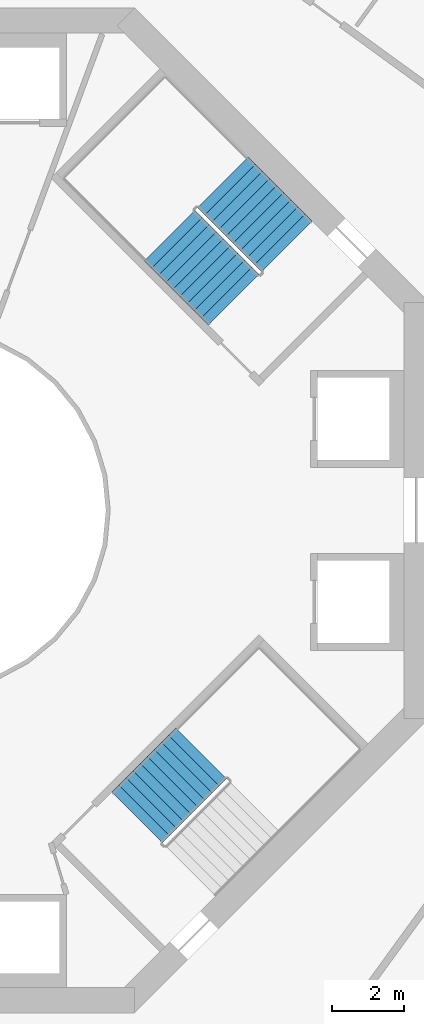
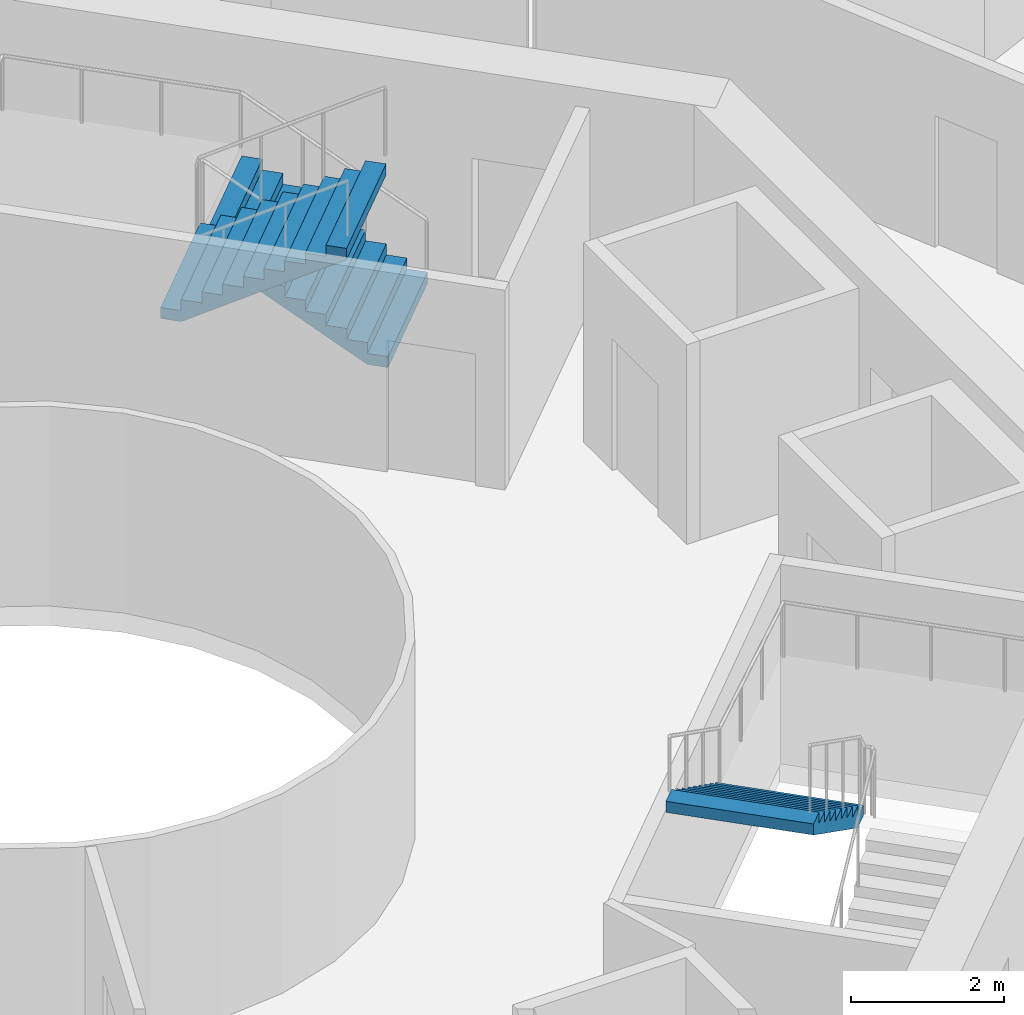
# One storey, part 22 of 23: 3 stair flights, 2 elements without a shape of their own.
"""IFC4 building model written with IfcOpenShell, lengths in metres."""

from ifc_helpers import new_model, si_unit, direction, frame, origin, place, context, subcontext, project, spatial, triangles, material, type_object, element, aggregate, save


model = new_model("IFC4")

# Units and contexts
model_context = context("Model", 3, precision=1e-05, world=origin(), true_north=direction((0.0, 1.0)))
body_context = subcontext(model_context, "Body", "Model", "MODEL_VIEW")
ifc_project = project(units=[si_unit("LENGTHUNIT", "METRE"), si_unit("AREAUNIT", "SQUARE_METRE"), si_unit("VOLUMEUNIT", "CUBIC_METRE"), si_unit("PLANEANGLEUNIT", "RADIAN"), si_unit("MASSUNIT", "GRAM", prefix="KILO")], contexts=[model_context])

# Site, building, storey
site_placement = place(None, origin())
site = spatial("IfcSite", under=ifc_project, at=site_placement, CompositionType="ELEMENT")
building_placement = place(site_placement, origin())
building = spatial("IfcBuilding", under=site, at=building_placement, Name="Verdalira Terraces Hotel", CompositionType="ELEMENT")
storey_placement = place(building_placement, frame((0.0, 0.0, 133.0)))
storey = spatial("IfcBuildingStorey", under=building, at=storey_placement, Name="L31", CompositionType="ELEMENT", Elevation=133.0)

# Stair, stair flights
ifc_material_1 = material(Name="Concrete C40", Category="concrete")
stair_type = type_object("IfcStairType", Name="Core stair 20 risers 2000 mm wide", PredefinedType="HALF_TURN_STAIR", material=ifc_material_1)
stair_1_placement = place(storey_placement, origin())
stair_1 = element("IfcStair", 1, at=stair_1_placement, inside=storey, type_object=stair_type, Name="L31 Exit stair ST1", PredefinedType="HALF_TURN_STAIR")
ifc_material_2 = material(Name="Concrete C40", Category="concrete")
stair_flight_type = type_object("IfcStairFlightType", Name="Core stair flight 20 risers 2000 mm wide", PredefinedType="STRAIGHT", material=ifc_material_2)
stair_flight_1_placement = place(storey_placement, frame((10.041016, 7.354004, 0.0), z_axis=(0.0, 0.0, 1.0), x_axis=(-0.707106781, 0.707106781, 0.0)))
stair_flight_1 = element("IfcStairFlight", 2, at=stair_flight_1_placement, type_object=stair_flight_type, Name="ST1 flight 1", NumberOfRisers=10, NumberOfTreads=9, PredefinedType="STRAIGHT", RiserHeight=0.175, TreadLength=0.28, context=body_context, shape_type="Tessellation", body=[
    triangles([(0.0, 1.0, 0.0), (0.282715, 1.0, 0.0), (2.52002, 1.0, 1.398193), (0.0, -1.0, 0.0), (0.282715, -1.0, 0.0), (2.52002, -1.0, 1.398193), (2.52002, 1.0, 1.574951), (2.23999, 1.0, 1.574951), (2.52002, -1.0, 1.574951), (2.23999, -1.0, 1.574951), (2.23999, 1.0, 1.399902), (2.23999, -1.0, 1.399902), (1.959961, 1.0, 1.399902), (1.959961, -1.0, 1.399902), (1.959961, 1.0, 1.225098), (1.959961, -1.0, 1.225098), (1.679932, 1.0, 1.225098), (1.679932, 1.0, 1.050049), (1.679932, -1.0, 1.225098), (1.679932, -1.0, 1.050049), (1.399902, 1.0, 1.050049), (1.399902, 1.0, 0.875), (1.399902, -1.0, 1.050049), (1.399902, -1.0, 0.875), (1.120117, 1.0, 0.875), (1.120117, 1.0, 0.699951), (1.120117, -1.0, 0.875), (1.120117, -1.0, 0.699951), (0.840088, 1.0, 0.699951), (0.840088, 1.0, 0.524902), (0.840088, -1.0, 0.699951), (0.840088, -1.0, 0.524902), (0.560059, 1.0, 0.524902), (0.560059, 1.0, 0.350098), (0.560059, -1.0, 0.524902), (0.560059, -1.0, 0.350098), (0.280029, 1.0, 0.350098), (0.280029, 1.0, 0.175049), (0.280029, -1.0, 0.350098), (0.280029, -1.0, 0.175049), (0.0, 1.0, 0.175049), (0.0, -1.0, 0.175049), (0.0, -0.9375, 0.0), (0.0, -0.9375, 0.175049), (0.0, -0.875, 0.0), (0.0, -0.875, 0.175049), (0.0, -0.8125, 0.0), (0.0, -0.8125, 0.175049), (0.0, -0.75, 0.0), (0.0, -0.75, 0.175049), (0.0, -0.6875, 0.0), (0.0, -0.6875, 0.175049), (0.0, -0.625, 0.0), (0.0, -0.625, 0.175049), (0.0, -0.5625, 0.0), (0.0, -0.5625, 0.175049), (0.0, -0.5, 0.0), (0.0, -0.5, 0.175049), (0.0, -0.4375, 0.0), (0.0, -0.4375, 0.175049), (0.0, -0.375, 0.0), (0.0, -0.375, 0.175049), (0.0, -0.3125, 0.0), (0.0, -0.3125, 0.175049), (0.0, -0.25, 0.0), (0.0, -0.25, 0.175049), (0.0, -0.1875, 0.0), (0.0, -0.1875, 0.175049), (0.0, -0.125, 0.0), (0.0, -0.125, 0.175049), (0.0, -0.0625, 0.0), (0.0, -0.0625, 0.175049), (0.0, 0.0, 0.0), (0.0, 0.0, 0.175049), (0.0, 0.0625, 0.0), (0.0, 0.0625, 0.175049), (0.0, 0.125, 0.0), (0.0, 0.125, 0.175049), (0.0, 0.1875, 0.0), (0.0, 0.1875, 0.175049), (0.0, 0.25, 0.0), (0.0, 0.25, 0.175049), (0.0, 0.3125, 0.0), (0.0, 0.3125, 0.175049), (0.0, 0.375, 0.0), (0.0, 0.375, 0.175049), (0.0, 0.4375, 0.0), (0.0, 0.4375, 0.175049), (0.0, 0.5, 0.0), (0.0, 0.5, 0.175049), (0.0, 0.5625, 0.0), (0.0, 0.5625, 0.175049), (0.0, 0.625, 0.0), (0.0, 0.625, 0.175049), (0.0, 0.6875, 0.0), (0.0, 0.6875, 0.175049), (0.0, 0.75, 0.0), (0.0, 0.75, 0.175049), (0.0, 0.8125, 0.0), (0.0, 0.8125, 0.175049), (0.0, 0.875, 0.0), (0.0, 0.875, 0.175049), (0.0, 0.9375, 0.0), (0.0, 0.9375, 0.175049), (2.52002, -0.9375, 1.574951), (2.52002, -0.875, 1.574951), (2.52002, -0.8125, 1.574951), (2.52002, -0.75, 1.574951), (2.52002, -0.6875, 1.574951), (2.52002, -0.625, 1.574951), (2.52002, -0.5625, 1.574951), (2.52002, -0.5, 1.574951), (2.52002, -0.4375, 1.574951), (2.52002, -0.375, 1.574951), (2.52002, -0.3125, 1.574951), (2.52002, -0.25, 1.574951), (2.52002, -0.1875, 1.574951), (2.52002, -0.125, 1.574951), (2.52002, -0.0625, 1.574951), (2.52002, 0.0, 1.574951), (2.52002, 0.0625, 1.574951), (2.52002, 0.125, 1.574951), (2.52002, 0.1875, 1.574951), (2.52002, 0.25, 1.574951), (2.52002, 0.3125, 1.574951), (2.52002, 0.375, 1.574951), (2.52002, 0.4375, 1.574951), (2.52002, 0.5, 1.574951), (2.52002, 0.5625, 1.574951), (2.52002, 0.625, 1.574951), (2.52002, 0.6875, 1.574951), (2.52002, 0.75, 1.574951), (2.52002, 0.8125, 1.574951), (2.52002, 0.875, 1.574951), (2.52002, 0.9375, 1.574951), (2.52002, -0.9375, 1.398193), (2.52002, -0.875, 1.398193), (2.52002, -0.8125, 1.398193), (2.52002, -0.75, 1.398193), (2.52002, -0.6875, 1.398193), (2.52002, -0.625, 1.398193), (2.52002, -0.5625, 1.398193), (2.52002, -0.5, 1.398193), (2.52002, -0.4375, 1.398193), (2.52002, -0.375, 1.398193), (2.52002, -0.3125, 1.398193), (2.52002, -0.25, 1.398193), (2.52002, -0.1875, 1.398193), (2.52002, -0.125, 1.398193), (2.52002, -0.0625, 1.398193), (2.52002, 0.0, 1.398193), (2.52002, 0.0625, 1.398193), (2.52002, 0.125, 1.398193), (2.52002, 0.1875, 1.398193), (2.52002, 0.25, 1.398193), (2.52002, 0.3125, 1.398193), (2.52002, 0.375, 1.398193), (2.52002, 0.4375, 1.398193), (2.52002, 0.5, 1.398193), (2.52002, 0.5625, 1.398193), (2.52002, 0.625, 1.398193), (2.52002, 0.6875, 1.398193), (2.52002, 0.75, 1.398193), (2.52002, 0.8125, 1.398193), (2.52002, 0.875, 1.398193), (2.52002, 0.9375, 1.398193)], [[1, 3, 2], [4, 5, 6], [3, 8, 7], [6, 9, 10], [3, 11, 8], [6, 10, 12], [3, 13, 11], [6, 12, 14], [3, 15, 13], [6, 14, 16], [15, 18, 17], [16, 19, 20], [3, 18, 15], [6, 16, 20], [18, 22, 21], [20, 23, 24], [3, 22, 18], [6, 20, 24], [22, 26, 25], [24, 27, 28], [3, 26, 22], [6, 24, 28], [26, 30, 29], [28, 31, 32], [3, 30, 26], [6, 28, 32], [1, 30, 3], [4, 6, 32], [30, 34, 33], [32, 35, 36], [34, 38, 37], [36, 39, 40], [30, 38, 34], [32, 36, 40], [1, 38, 30], [4, 32, 40], [38, 1, 41], [40, 42, 4], [4, 44, 43], [4, 42, 44], [43, 46, 45], [43, 44, 46], [45, 48, 47], [45, 46, 48], [47, 50, 49], [47, 48, 50], [49, 52, 51], [49, 50, 52], [51, 54, 53], [51, 52, 54], [53, 56, 55], [53, 54, 56], [55, 58, 57], [55, 56, 58], [57, 60, 59], [57, 58, 60], [59, 62, 61], [59, 60, 62], [61, 64, 63], [61, 62, 64], [63, 66, 65], [63, 64, 66], [65, 68, 67], [65, 66, 68], [67, 70, 69], [67, 68, 70], [69, 72, 71], [69, 70, 72], [71, 74, 73], [71, 72, 74], [73, 76, 75], [73, 74, 76], [75, 78, 77], [75, 76, 78], [77, 80, 79], [77, 78, 80], [79, 82, 81], [79, 80, 82], [81, 84, 83], [81, 82, 84], [83, 86, 85], [83, 84, 86], [85, 88, 87], [85, 86, 88], [87, 90, 89], [87, 88, 90], [89, 92, 91], [89, 90, 92], [91, 94, 93], [91, 92, 94], [93, 96, 95], [93, 94, 96], [95, 98, 97], [95, 96, 98], [97, 100, 99], [97, 98, 100], [99, 102, 101], [99, 100, 102], [101, 104, 103], [101, 102, 104], [103, 41, 1], [103, 104, 41], [42, 40, 44], [44, 40, 46], [46, 40, 48], [48, 40, 50], [50, 40, 52], [52, 40, 54], [54, 40, 56], [56, 40, 58], [58, 40, 60], [60, 40, 62], [62, 40, 64], [64, 40, 66], [66, 40, 68], [68, 40, 70], [70, 40, 72], [72, 40, 74], [74, 40, 76], [76, 40, 78], [78, 40, 80], [80, 40, 82], [82, 40, 84], [84, 40, 86], [86, 40, 88], [88, 40, 90], [90, 40, 92], [92, 40, 94], [94, 40, 96], [96, 40, 98], [98, 40, 100], [100, 40, 102], [102, 40, 104], [104, 40, 41], [41, 40, 38], [40, 37, 38], [40, 39, 37], [39, 34, 37], [39, 36, 34], [36, 33, 34], [36, 35, 33], [35, 30, 33], [35, 32, 30], [32, 29, 30], [32, 31, 29], [31, 26, 29], [31, 28, 26], [28, 25, 26], [28, 27, 25], [27, 22, 25], [27, 24, 22], [24, 21, 22], [24, 23, 21], [23, 18, 21], [23, 20, 18], [20, 17, 18], [20, 19, 17], [19, 15, 17], [19, 16, 15], [16, 13, 15], [16, 14, 13], [14, 11, 13], [14, 12, 11], [12, 8, 11], [12, 10, 8], [9, 105, 10], [105, 106, 10], [106, 107, 10], [107, 108, 10], [108, 109, 10], [109, 110, 10], [110, 111, 10], [111, 112, 10], [112, 113, 10], [113, 114, 10], [114, 115, 10], [115, 116, 10], [116, 117, 10], [117, 118, 10], [118, 119, 10], [119, 120, 10], [120, 121, 10], [121, 122, 10], [122, 123, 10], [123, 124, 10], [124, 125, 10], [125, 126, 10], [126, 127, 10], [127, 128, 10], [128, 129, 10], [129, 130, 10], [130, 131, 10], [131, 132, 10], [132, 133, 10], [133, 134, 10], [134, 135, 10], [135, 7, 10], [7, 8, 10], [9, 136, 105], [9, 6, 136], [105, 137, 106], [105, 136, 137], [106, 138, 107], [106, 137, 138], [107, 139, 108], [107, 138, 139], [108, 140, 109], [108, 139, 140], [109, 141, 110], [109, 140, 141], [110, 142, 111], [110, 141, 142], [111, 143, 112], [111, 142, 143], [112, 144, 113], [112, 143, 144], [113, 145, 114], [113, 144, 145], [114, 146, 115], [114, 145, 146], [115, 147, 116], [115, 146, 147], [116, 148, 117], [116, 147, 148], [117, 149, 118], [117, 148, 149], [118, 150, 119], [118, 149, 150], [119, 151, 120], [119, 150, 151], [120, 152, 121], [120, 151, 152], [121, 153, 122], [121, 152, 153], [122, 154, 123], [122, 153, 154], [123, 155, 124], [123, 154, 155], [124, 156, 125], [124, 155, 156], [125, 157, 126], [125, 156, 157], [126, 158, 127], [126, 157, 158], [127, 159, 128], [127, 158, 159], [128, 160, 129], [128, 159, 160], [129, 161, 130], [129, 160, 161], [130, 162, 131], [130, 161, 162], [131, 163, 132], [131, 162, 163], [132, 164, 133], [132, 163, 164], [133, 165, 134], [133, 164, 165], [134, 166, 135], [134, 165, 166], [135, 3, 7], [135, 166, 3], [6, 5, 136], [136, 5, 137], [137, 5, 138], [138, 5, 139], [139, 5, 140], [140, 5, 141], [141, 5, 142], [142, 5, 143], [143, 5, 144], [144, 5, 145], [145, 5, 146], [146, 5, 147], [147, 5, 148], [148, 5, 149], [149, 5, 150], [150, 5, 151], [151, 5, 152], [152, 5, 153], [153, 5, 154], [154, 5, 155], [155, 5, 156], [156, 5, 157], [157, 5, 158], [158, 5, 159], [159, 5, 160], [160, 5, 161], [161, 5, 162], [162, 5, 163], [163, 5, 164], [164, 5, 165], [165, 5, 166], [166, 5, 3], [3, 5, 2], [4, 43, 5], [43, 45, 5], [45, 47, 5], [47, 49, 5], [49, 51, 5], [51, 53, 5], [53, 55, 5], [55, 57, 5], [57, 59, 5], [59, 61, 5], [61, 63, 5], [63, 65, 5], [65, 67, 5], [67, 69, 5], [69, 71, 5], [71, 73, 5], [73, 75, 5], [75, 77, 5], [77, 79, 5], [79, 81, 5], [81, 83, 5], [83, 85, 5], [85, 87, 5], [87, 89, 5], [89, 91, 5], [91, 93, 5], [93, 95, 5], [95, 97, 5], [97, 99, 5], [99, 101, 5], [101, 103, 5], [103, 1, 5], [1, 2, 5]], closed=True),
])
stair_flight_2_placement = place(storey_placement, frame((6.77417, 7.650879, 1.75), z_axis=(0.0, 0.0, 1.0), x_axis=(0.707106781, -0.707106781, 0.0)))
stair_flight_2 = element("IfcStairFlight", 3, at=stair_flight_2_placement, type_object=stair_flight_type, Name="ST1 flight 2", NumberOfRisers=10, NumberOfTreads=9, PredefinedType="STRAIGHT", RiserHeight=0.175, TreadLength=0.28, context=body_context, shape_type="Tessellation", body=[
    triangles([(0.0, 1.0, 0.0), (0.282715, 1.0, 0.0), (2.52002, 1.0, 1.398193), (0.0, -1.0, 0.0), (0.282715, -1.0, 0.0), (2.52002, -1.0, 1.398193), (2.52002, 1.0, 1.574951), (2.23999, 1.0, 1.574951), (2.52002, -1.0, 1.574951), (2.23999, -1.0, 1.574951), (2.23999, 1.0, 1.399902), (2.23999, -1.0, 1.399902), (1.959961, 1.0, 1.399902), (1.959961, -1.0, 1.399902), (1.959961, 1.0, 1.225098), (1.959961, -1.0, 1.225098), (1.679932, 1.0, 1.225098), (1.679932, 1.0, 1.050049), (1.679932, -1.0, 1.225098), (1.679932, -1.0, 1.050049), (1.399902, 1.0, 1.050049), (1.399902, 1.0, 0.875), (1.399902, -1.0, 1.050049), (1.399902, -1.0, 0.875), (1.120117, 1.0, 0.875), (1.120117, 1.0, 0.699951), (1.120117, -1.0, 0.875), (1.120117, -1.0, 0.699951), (0.840088, 1.0, 0.699951), (0.840088, 1.0, 0.524902), (0.840088, -1.0, 0.699951), (0.840088, -1.0, 0.524902), (0.560059, 1.0, 0.524902), (0.560059, 1.0, 0.350098), (0.560059, -1.0, 0.524902), (0.560059, -1.0, 0.350098), (0.280029, 1.0, 0.350098), (0.280029, 1.0, 0.175049), (0.280029, -1.0, 0.350098), (0.280029, -1.0, 0.175049), (0.0, 1.0, 0.175049), (0.0, -1.0, 0.175049), (0.0, -0.9375, 0.0), (0.0, -0.9375, 0.175049), (0.0, -0.875, 0.0), (0.0, -0.875, 0.175049), (0.0, -0.8125, 0.0), (0.0, -0.8125, 0.175049), (0.0, -0.75, 0.0), (0.0, -0.75, 0.175049), (0.0, -0.6875, 0.0), (0.0, -0.6875, 0.175049), (0.0, -0.625, 0.0), (0.0, -0.625, 0.175049), (0.0, -0.5625, 0.0), (0.0, -0.5625, 0.175049), (0.0, -0.5, 0.0), (0.0, -0.5, 0.175049), (0.0, -0.4375, 0.0), (0.0, -0.4375, 0.175049), (0.0, -0.375, 0.0), (0.0, -0.375, 0.175049), (0.0, -0.3125, 0.0), (0.0, -0.3125, 0.175049), (0.0, -0.25, 0.0), (0.0, -0.25, 0.175049), (0.0, -0.1875, 0.0), (0.0, -0.1875, 0.175049), (0.0, -0.125, 0.0), (0.0, -0.125, 0.175049), (0.0, -0.0625, 0.0), (0.0, -0.0625, 0.175049), (0.0, 0.0, 0.0), (0.0, 0.0, 0.175049), (0.0, 0.0625, 0.0), (0.0, 0.0625, 0.175049), (0.0, 0.125, 0.0), (0.0, 0.125, 0.175049), (0.0, 0.1875, 0.0), (0.0, 0.1875, 0.175049), (0.0, 0.25, 0.0), (0.0, 0.25, 0.175049), (0.0, 0.3125, 0.0), (0.0, 0.3125, 0.175049), (0.0, 0.375, 0.0), (0.0, 0.375, 0.175049), (0.0, 0.4375, 0.0), (0.0, 0.4375, 0.175049), (0.0, 0.5, 0.0), (0.0, 0.5, 0.175049), (0.0, 0.5625, 0.0), (0.0, 0.5625, 0.175049), (0.0, 0.625, 0.0), (0.0, 0.625, 0.175049), (0.0, 0.6875, 0.0), (0.0, 0.6875, 0.175049), (0.0, 0.75, 0.0), (0.0, 0.75, 0.175049), (0.0, 0.8125, 0.0), (0.0, 0.8125, 0.175049), (0.0, 0.875, 0.0), (0.0, 0.875, 0.175049), (0.0, 0.9375, 0.0), (0.0, 0.9375, 0.175049), (2.52002, -0.9375, 1.574951), (2.52002, -0.875, 1.574951), (2.52002, -0.8125, 1.574951), (2.52002, -0.75, 1.574951), (2.52002, -0.6875, 1.574951), (2.52002, -0.625, 1.574951), (2.52002, -0.5625, 1.574951), (2.52002, -0.5, 1.574951), (2.52002, -0.4375, 1.574951), (2.52002, -0.375, 1.574951), (2.52002, -0.3125, 1.574951), (2.52002, -0.25, 1.574951), (2.52002, -0.1875, 1.574951), (2.52002, -0.125, 1.574951), (2.52002, -0.0625, 1.574951), (2.52002, 0.0, 1.574951), (2.52002, 0.0625, 1.574951), (2.52002, 0.125, 1.574951), (2.52002, 0.1875, 1.574951), (2.52002, 0.25, 1.574951), (2.52002, 0.3125, 1.574951), (2.52002, 0.375, 1.574951), (2.52002, 0.4375, 1.574951), (2.52002, 0.5, 1.574951), (2.52002, 0.5625, 1.574951), (2.52002, 0.625, 1.574951), (2.52002, 0.6875, 1.574951), (2.52002, 0.75, 1.574951), (2.52002, 0.8125, 1.574951), (2.52002, 0.875, 1.574951), (2.52002, 0.9375, 1.574951), (2.52002, -0.9375, 1.398193), (2.52002, -0.875, 1.398193), (2.52002, -0.8125, 1.398193), (2.52002, -0.75, 1.398193), (2.52002, -0.6875, 1.398193), (2.52002, -0.625, 1.398193), (2.52002, -0.5625, 1.398193), (2.52002, -0.5, 1.398193), (2.52002, -0.4375, 1.398193), (2.52002, -0.375, 1.398193), (2.52002, -0.3125, 1.398193), (2.52002, -0.25, 1.398193), (2.52002, -0.1875, 1.398193), (2.52002, -0.125, 1.398193), (2.52002, -0.0625, 1.398193), (2.52002, 0.0, 1.398193), (2.52002, 0.0625, 1.398193), (2.52002, 0.125, 1.398193), (2.52002, 0.1875, 1.398193), (2.52002, 0.25, 1.398193), (2.52002, 0.3125, 1.398193), (2.52002, 0.375, 1.398193), (2.52002, 0.4375, 1.398193), (2.52002, 0.5, 1.398193), (2.52002, 0.5625, 1.398193), (2.52002, 0.625, 1.398193), (2.52002, 0.6875, 1.398193), (2.52002, 0.75, 1.398193), (2.52002, 0.8125, 1.398193), (2.52002, 0.875, 1.398193), (2.52002, 0.9375, 1.398193)], [[1, 3, 2], [4, 5, 6], [3, 8, 7], [6, 9, 10], [3, 11, 8], [6, 10, 12], [3, 13, 11], [6, 12, 14], [3, 15, 13], [6, 14, 16], [15, 18, 17], [16, 19, 20], [3, 18, 15], [6, 16, 20], [18, 22, 21], [20, 23, 24], [3, 22, 18], [6, 20, 24], [22, 26, 25], [24, 27, 28], [3, 26, 22], [6, 24, 28], [26, 30, 29], [28, 31, 32], [3, 30, 26], [6, 28, 32], [1, 30, 3], [4, 6, 32], [30, 34, 33], [32, 35, 36], [34, 38, 37], [36, 39, 40], [30, 38, 34], [32, 36, 40], [1, 38, 30], [4, 32, 40], [38, 1, 41], [40, 42, 4], [4, 44, 43], [4, 42, 44], [43, 46, 45], [43, 44, 46], [45, 48, 47], [45, 46, 48], [47, 50, 49], [47, 48, 50], [49, 52, 51], [49, 50, 52], [51, 54, 53], [51, 52, 54], [53, 56, 55], [53, 54, 56], [55, 58, 57], [55, 56, 58], [57, 60, 59], [57, 58, 60], [59, 62, 61], [59, 60, 62], [61, 64, 63], [61, 62, 64], [63, 66, 65], [63, 64, 66], [65, 68, 67], [65, 66, 68], [67, 70, 69], [67, 68, 70], [69, 72, 71], [69, 70, 72], [71, 74, 73], [71, 72, 74], [73, 76, 75], [73, 74, 76], [75, 78, 77], [75, 76, 78], [77, 80, 79], [77, 78, 80], [79, 82, 81], [79, 80, 82], [81, 84, 83], [81, 82, 84], [83, 86, 85], [83, 84, 86], [85, 88, 87], [85, 86, 88], [87, 90, 89], [87, 88, 90], [89, 92, 91], [89, 90, 92], [91, 94, 93], [91, 92, 94], [93, 96, 95], [93, 94, 96], [95, 98, 97], [95, 96, 98], [97, 100, 99], [97, 98, 100], [99, 102, 101], [99, 100, 102], [101, 104, 103], [101, 102, 104], [103, 41, 1], [103, 104, 41], [42, 40, 44], [44, 40, 46], [46, 40, 48], [48, 40, 50], [50, 40, 52], [52, 40, 54], [54, 40, 56], [56, 40, 58], [58, 40, 60], [60, 40, 62], [62, 40, 64], [64, 40, 66], [66, 40, 68], [68, 40, 70], [70, 40, 72], [72, 40, 74], [74, 40, 76], [76, 40, 78], [78, 40, 80], [80, 40, 82], [82, 40, 84], [84, 40, 86], [86, 40, 88], [88, 40, 90], [90, 40, 92], [92, 40, 94], [94, 40, 96], [96, 40, 98], [98, 40, 100], [100, 40, 102], [102, 40, 104], [104, 40, 41], [41, 40, 38], [40, 37, 38], [40, 39, 37], [39, 34, 37], [39, 36, 34], [36, 33, 34], [36, 35, 33], [35, 30, 33], [35, 32, 30], [32, 29, 30], [32, 31, 29], [31, 26, 29], [31, 28, 26], [28, 25, 26], [28, 27, 25], [27, 22, 25], [27, 24, 22], [24, 21, 22], [24, 23, 21], [23, 18, 21], [23, 20, 18], [20, 17, 18], [20, 19, 17], [19, 15, 17], [19, 16, 15], [16, 13, 15], [16, 14, 13], [14, 11, 13], [14, 12, 11], [12, 8, 11], [12, 10, 8], [9, 105, 10], [105, 106, 10], [106, 107, 10], [107, 108, 10], [108, 109, 10], [109, 110, 10], [110, 111, 10], [111, 112, 10], [112, 113, 10], [113, 114, 10], [114, 115, 10], [115, 116, 10], [116, 117, 10], [117, 118, 10], [118, 119, 10], [119, 120, 10], [120, 121, 10], [121, 122, 10], [122, 123, 10], [123, 124, 10], [124, 125, 10], [125, 126, 10], [126, 127, 10], [127, 128, 10], [128, 129, 10], [129, 130, 10], [130, 131, 10], [131, 132, 10], [132, 133, 10], [133, 134, 10], [134, 135, 10], [135, 7, 10], [7, 8, 10], [9, 136, 105], [9, 6, 136], [105, 137, 106], [105, 136, 137], [106, 138, 107], [106, 137, 138], [107, 139, 108], [107, 138, 139], [108, 140, 109], [108, 139, 140], [109, 141, 110], [109, 140, 141], [110, 142, 111], [110, 141, 142], [111, 143, 112], [111, 142, 143], [112, 144, 113], [112, 143, 144], [113, 145, 114], [113, 144, 145], [114, 146, 115], [114, 145, 146], [115, 147, 116], [115, 146, 147], [116, 148, 117], [116, 147, 148], [117, 149, 118], [117, 148, 149], [118, 150, 119], [118, 149, 150], [119, 151, 120], [119, 150, 151], [120, 152, 121], [120, 151, 152], [121, 153, 122], [121, 152, 153], [122, 154, 123], [122, 153, 154], [123, 155, 124], [123, 154, 155], [124, 156, 125], [124, 155, 156], [125, 157, 126], [125, 156, 157], [126, 158, 127], [126, 157, 158], [127, 159, 128], [127, 158, 159], [128, 160, 129], [128, 159, 160], [129, 161, 130], [129, 160, 161], [130, 162, 131], [130, 161, 162], [131, 163, 132], [131, 162, 163], [132, 164, 133], [132, 163, 164], [133, 165, 134], [133, 164, 165], [134, 166, 135], [134, 165, 166], [135, 3, 7], [135, 166, 3], [6, 5, 136], [136, 5, 137], [137, 5, 138], [138, 5, 139], [139, 5, 140], [140, 5, 141], [141, 5, 142], [142, 5, 143], [143, 5, 144], [144, 5, 145], [145, 5, 146], [146, 5, 147], [147, 5, 148], [148, 5, 149], [149, 5, 150], [150, 5, 151], [151, 5, 152], [152, 5, 153], [153, 5, 154], [154, 5, 155], [155, 5, 156], [156, 5, 157], [157, 5, 158], [158, 5, 159], [159, 5, 160], [160, 5, 161], [161, 5, 162], [162, 5, 163], [163, 5, 164], [164, 5, 165], [165, 5, 166], [166, 5, 3], [3, 5, 2], [4, 43, 5], [43, 45, 5], [45, 47, 5], [47, 49, 5], [49, 51, 5], [51, 53, 5], [53, 55, 5], [55, 57, 5], [57, 59, 5], [59, 61, 5], [61, 63, 5], [63, 65, 5], [65, 67, 5], [67, 69, 5], [69, 71, 5], [71, 73, 5], [73, 75, 5], [75, 77, 5], [77, 79, 5], [79, 81, 5], [81, 83, 5], [83, 85, 5], [85, 87, 5], [87, 89, 5], [89, 91, 5], [91, 93, 5], [93, 95, 5], [95, 97, 5], [97, 99, 5], [99, 101, 5], [101, 103, 5], [103, 1, 5], [1, 2, 5]], closed=True),
])
aggregate(stair_1, [stair_flight_1, stair_flight_2])

# Stair, stair flight
stair_2_placement = place(storey_placement, origin())
stair_2 = element("IfcStair", 4, at=stair_2_placement, inside=storey, type_object=stair_type, Name="L31 Exit stair ST3", PredefinedType="HALF_TURN_STAIR")
stair_flight_3_placement = place(storey_placement, frame((7.650879, -6.77417, 1.75), z_axis=(0.0, 0.0, 1.0), x_axis=(-0.707106781, -0.707106781, 0.0)))
stair_flight_3 = element("IfcStairFlight", 5, at=stair_flight_3_placement, type_object=stair_flight_type, Name="ST3 flight 2", NumberOfRisers=10, NumberOfTreads=9, PredefinedType="STRAIGHT", RiserHeight=0.175, TreadLength=0.28, context=body_context, shape_type="Tessellation", body=[
    triangles([(0.0, 1.0, 0.0), (0.282715, 1.0, 0.0), (2.52002, 1.0, 1.398193), (0.0, -1.0, 0.0), (0.282715, -1.0, 0.0), (2.52002, -1.0, 1.398193), (2.52002, 1.0, 1.574951), (2.23999, 1.0, 1.574951), (2.52002, -1.0, 1.574951), (2.23999, -1.0, 1.574951), (2.23999, 1.0, 1.399902), (2.23999, -1.0, 1.399902), (1.959961, 1.0, 1.399902), (1.959961, -1.0, 1.399902), (1.959961, 1.0, 1.225098), (1.959961, -1.0, 1.225098), (1.679932, 1.0, 1.225098), (1.679932, 1.0, 1.050049), (1.679932, -1.0, 1.225098), (1.679932, -1.0, 1.050049), (1.399902, 1.0, 1.050049), (1.399902, 1.0, 0.875), (1.399902, -1.0, 1.050049), (1.399902, -1.0, 0.875), (1.120117, 1.0, 0.875), (1.120117, 1.0, 0.699951), (1.120117, -1.0, 0.875), (1.120117, -1.0, 0.699951), (0.840088, 1.0, 0.699951), (0.840088, 1.0, 0.524902), (0.840088, -1.0, 0.699951), (0.840088, -1.0, 0.524902), (0.560059, 1.0, 0.524902), (0.560059, 1.0, 0.350098), (0.560059, -1.0, 0.524902), (0.560059, -1.0, 0.350098), (0.280029, 1.0, 0.350098), (0.280029, 1.0, 0.175049), (0.280029, -1.0, 0.350098), (0.280029, -1.0, 0.175049), (0.0, 1.0, 0.175049), (0.0, -1.0, 0.175049), (0.0, -0.9375, 0.0), (0.0, -0.9375, 0.175049), (0.0, -0.875, 0.0), (0.0, -0.875, 0.175049), (0.0, -0.8125, 0.0), (0.0, -0.8125, 0.175049), (0.0, -0.75, 0.0), (0.0, -0.75, 0.175049), (0.0, -0.6875, 0.0), (0.0, -0.6875, 0.175049), (0.0, -0.625, 0.0), (0.0, -0.625, 0.175049), (0.0, -0.5625, 0.0), (0.0, -0.5625, 0.175049), (0.0, -0.5, 0.0), (0.0, -0.5, 0.175049), (0.0, -0.4375, 0.0), (0.0, -0.4375, 0.175049), (0.0, -0.375, 0.0), (0.0, -0.375, 0.175049), (0.0, -0.3125, 0.0), (0.0, -0.3125, 0.175049), (0.0, -0.25, 0.0), (0.0, -0.25, 0.175049), (0.0, -0.1875, 0.0), (0.0, -0.1875, 0.175049), (0.0, -0.125, 0.0), (0.0, -0.125, 0.175049), (0.0, -0.0625, 0.0), (0.0, -0.0625, 0.175049), (0.0, 0.0, 0.0), (0.0, 0.0, 0.175049), (0.0, 0.0625, 0.0), (0.0, 0.0625, 0.175049), (0.0, 0.125, 0.0), (0.0, 0.125, 0.175049), (0.0, 0.1875, 0.0), (0.0, 0.1875, 0.175049), (0.0, 0.25, 0.0), (0.0, 0.25, 0.175049), (0.0, 0.3125, 0.0), (0.0, 0.3125, 0.175049), (0.0, 0.375, 0.0), (0.0, 0.375, 0.175049), (0.0, 0.4375, 0.0), (0.0, 0.4375, 0.175049), (0.0, 0.5, 0.0), (0.0, 0.5, 0.175049), (0.0, 0.5625, 0.0), (0.0, 0.5625, 0.175049), (0.0, 0.625, 0.0), (0.0, 0.625, 0.175049), (0.0, 0.6875, 0.0), (0.0, 0.6875, 0.175049), (0.0, 0.75, 0.0), (0.0, 0.75, 0.175049), (0.0, 0.8125, 0.0), (0.0, 0.8125, 0.175049), (0.0, 0.875, 0.0), (0.0, 0.875, 0.175049), (0.0, 0.9375, 0.0), (0.0, 0.9375, 0.175049), (2.52002, -0.9375, 1.574951), (2.52002, -0.875, 1.574951), (2.52002, -0.8125, 1.574951), (2.52002, -0.75, 1.574951), (2.52002, -0.6875, 1.574951), (2.52002, -0.625, 1.574951), (2.52002, -0.5625, 1.574951), (2.52002, -0.5, 1.574951), (2.52002, -0.4375, 1.574951), (2.52002, -0.375, 1.574951), (2.52002, -0.3125, 1.574951), (2.52002, -0.25, 1.574951), (2.52002, -0.1875, 1.574951), (2.52002, -0.125, 1.574951), (2.52002, -0.0625, 1.574951), (2.52002, 0.0, 1.574951), (2.52002, 0.0625, 1.574951), (2.52002, 0.125, 1.574951), (2.52002, 0.1875, 1.574951), (2.52002, 0.25, 1.574951), (2.52002, 0.3125, 1.574951), (2.52002, 0.375, 1.574951), (2.52002, 0.4375, 1.574951), (2.52002, 0.5, 1.574951), (2.52002, 0.5625, 1.574951), (2.52002, 0.625, 1.574951), (2.52002, 0.6875, 1.574951), (2.52002, 0.75, 1.574951), (2.52002, 0.8125, 1.574951), (2.52002, 0.875, 1.574951), (2.52002, 0.9375, 1.574951), (2.52002, -0.9375, 1.398193), (2.52002, -0.875, 1.398193), (2.52002, -0.8125, 1.398193), (2.52002, -0.75, 1.398193), (2.52002, -0.6875, 1.398193), (2.52002, -0.625, 1.398193), (2.52002, -0.5625, 1.398193), (2.52002, -0.5, 1.398193), (2.52002, -0.4375, 1.398193), (2.52002, -0.375, 1.398193), (2.52002, -0.3125, 1.398193), (2.52002, -0.25, 1.398193), (2.52002, -0.1875, 1.398193), (2.52002, -0.125, 1.398193), (2.52002, -0.0625, 1.398193), (2.52002, 0.0, 1.398193), (2.52002, 0.0625, 1.398193), (2.52002, 0.125, 1.398193), (2.52002, 0.1875, 1.398193), (2.52002, 0.25, 1.398193), (2.52002, 0.3125, 1.398193), (2.52002, 0.375, 1.398193), (2.52002, 0.4375, 1.398193), (2.52002, 0.5, 1.398193), (2.52002, 0.5625, 1.398193), (2.52002, 0.625, 1.398193), (2.52002, 0.6875, 1.398193), (2.52002, 0.75, 1.398193), (2.52002, 0.8125, 1.398193), (2.52002, 0.875, 1.398193), (2.52002, 0.9375, 1.398193)], [[1, 3, 2], [4, 5, 6], [3, 8, 7], [6, 9, 10], [3, 11, 8], [6, 10, 12], [3, 13, 11], [6, 12, 14], [3, 15, 13], [6, 14, 16], [15, 18, 17], [16, 19, 20], [3, 18, 15], [6, 16, 20], [18, 22, 21], [20, 23, 24], [3, 22, 18], [6, 20, 24], [22, 26, 25], [24, 27, 28], [3, 26, 22], [6, 24, 28], [26, 30, 29], [28, 31, 32], [3, 30, 26], [6, 28, 32], [1, 30, 3], [4, 6, 32], [30, 34, 33], [32, 35, 36], [34, 38, 37], [36, 39, 40], [30, 38, 34], [32, 36, 40], [1, 38, 30], [4, 32, 40], [38, 1, 41], [40, 42, 4], [4, 44, 43], [4, 42, 44], [43, 46, 45], [43, 44, 46], [45, 48, 47], [45, 46, 48], [47, 50, 49], [47, 48, 50], [49, 52, 51], [49, 50, 52], [51, 54, 53], [51, 52, 54], [53, 56, 55], [53, 54, 56], [55, 58, 57], [55, 56, 58], [57, 60, 59], [57, 58, 60], [59, 62, 61], [59, 60, 62], [61, 64, 63], [61, 62, 64], [63, 66, 65], [63, 64, 66], [65, 68, 67], [65, 66, 68], [67, 70, 69], [67, 68, 70], [69, 72, 71], [69, 70, 72], [71, 74, 73], [71, 72, 74], [73, 76, 75], [73, 74, 76], [75, 78, 77], [75, 76, 78], [77, 80, 79], [77, 78, 80], [79, 82, 81], [79, 80, 82], [81, 84, 83], [81, 82, 84], [83, 86, 85], [83, 84, 86], [85, 88, 87], [85, 86, 88], [87, 90, 89], [87, 88, 90], [89, 92, 91], [89, 90, 92], [91, 94, 93], [91, 92, 94], [93, 96, 95], [93, 94, 96], [95, 98, 97], [95, 96, 98], [97, 100, 99], [97, 98, 100], [99, 102, 101], [99, 100, 102], [101, 104, 103], [101, 102, 104], [103, 41, 1], [103, 104, 41], [42, 40, 44], [44, 40, 46], [46, 40, 48], [48, 40, 50], [50, 40, 52], [52, 40, 54], [54, 40, 56], [56, 40, 58], [58, 40, 60], [60, 40, 62], [62, 40, 64], [64, 40, 66], [66, 40, 68], [68, 40, 70], [70, 40, 72], [72, 40, 74], [74, 40, 76], [76, 40, 78], [78, 40, 80], [80, 40, 82], [82, 40, 84], [84, 40, 86], [86, 40, 88], [88, 40, 90], [90, 40, 92], [92, 40, 94], [94, 40, 96], [96, 40, 98], [98, 40, 100], [100, 40, 102], [102, 40, 104], [104, 40, 41], [41, 40, 38], [40, 37, 38], [40, 39, 37], [39, 34, 37], [39, 36, 34], [36, 33, 34], [36, 35, 33], [35, 30, 33], [35, 32, 30], [32, 29, 30], [32, 31, 29], [31, 26, 29], [31, 28, 26], [28, 25, 26], [28, 27, 25], [27, 22, 25], [27, 24, 22], [24, 21, 22], [24, 23, 21], [23, 18, 21], [23, 20, 18], [20, 17, 18], [20, 19, 17], [19, 15, 17], [19, 16, 15], [16, 13, 15], [16, 14, 13], [14, 11, 13], [14, 12, 11], [12, 8, 11], [12, 10, 8], [9, 105, 10], [105, 106, 10], [106, 107, 10], [107, 108, 10], [108, 109, 10], [109, 110, 10], [110, 111, 10], [111, 112, 10], [112, 113, 10], [113, 114, 10], [114, 115, 10], [115, 116, 10], [116, 117, 10], [117, 118, 10], [118, 119, 10], [119, 120, 10], [120, 121, 10], [121, 122, 10], [122, 123, 10], [123, 124, 10], [124, 125, 10], [125, 126, 10], [126, 127, 10], [127, 128, 10], [128, 129, 10], [129, 130, 10], [130, 131, 10], [131, 132, 10], [132, 133, 10], [133, 134, 10], [134, 135, 10], [135, 7, 10], [7, 8, 10], [9, 136, 105], [9, 6, 136], [105, 137, 106], [105, 136, 137], [106, 138, 107], [106, 137, 138], [107, 139, 108], [107, 138, 139], [108, 140, 109], [108, 139, 140], [109, 141, 110], [109, 140, 141], [110, 142, 111], [110, 141, 142], [111, 143, 112], [111, 142, 143], [112, 144, 113], [112, 143, 144], [113, 145, 114], [113, 144, 145], [114, 146, 115], [114, 145, 146], [115, 147, 116], [115, 146, 147], [116, 148, 117], [116, 147, 148], [117, 149, 118], [117, 148, 149], [118, 150, 119], [118, 149, 150], [119, 151, 120], [119, 150, 151], [120, 152, 121], [120, 151, 152], [121, 153, 122], [121, 152, 153], [122, 154, 123], [122, 153, 154], [123, 155, 124], [123, 154, 155], [124, 156, 125], [124, 155, 156], [125, 157, 126], [125, 156, 157], [126, 158, 127], [126, 157, 158], [127, 159, 128], [127, 158, 159], [128, 160, 129], [128, 159, 160], [129, 161, 130], [129, 160, 161], [130, 162, 131], [130, 161, 162], [131, 163, 132], [131, 162, 163], [132, 164, 133], [132, 163, 164], [133, 165, 134], [133, 164, 165], [134, 166, 135], [134, 165, 166], [135, 3, 7], [135, 166, 3], [6, 5, 136], [136, 5, 137], [137, 5, 138], [138, 5, 139], [139, 5, 140], [140, 5, 141], [141, 5, 142], [142, 5, 143], [143, 5, 144], [144, 5, 145], [145, 5, 146], [146, 5, 147], [147, 5, 148], [148, 5, 149], [149, 5, 150], [150, 5, 151], [151, 5, 152], [152, 5, 153], [153, 5, 154], [154, 5, 155], [155, 5, 156], [156, 5, 157], [157, 5, 158], [158, 5, 159], [159, 5, 160], [160, 5, 161], [161, 5, 162], [162, 5, 163], [163, 5, 164], [164, 5, 165], [165, 5, 166], [166, 5, 3], [3, 5, 2], [4, 43, 5], [43, 45, 5], [45, 47, 5], [47, 49, 5], [49, 51, 5], [51, 53, 5], [53, 55, 5], [55, 57, 5], [57, 59, 5], [59, 61, 5], [61, 63, 5], [63, 65, 5], [65, 67, 5], [67, 69, 5], [69, 71, 5], [71, 73, 5], [73, 75, 5], [75, 77, 5], [77, 79, 5], [79, 81, 5], [81, 83, 5], [83, 85, 5], [85, 87, 5], [87, 89, 5], [89, 91, 5], [91, 93, 5], [93, 95, 5], [95, 97, 5], [97, 99, 5], [99, 101, 5], [101, 103, 5], [103, 1, 5], [1, 2, 5]], closed=True),
])
aggregate(stair_2, [stair_flight_3])

save(model, "model.ifc")
